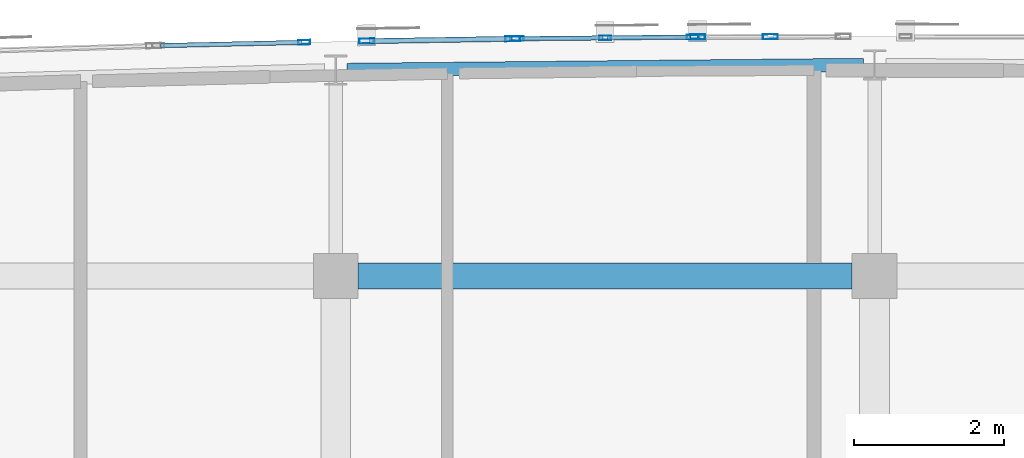
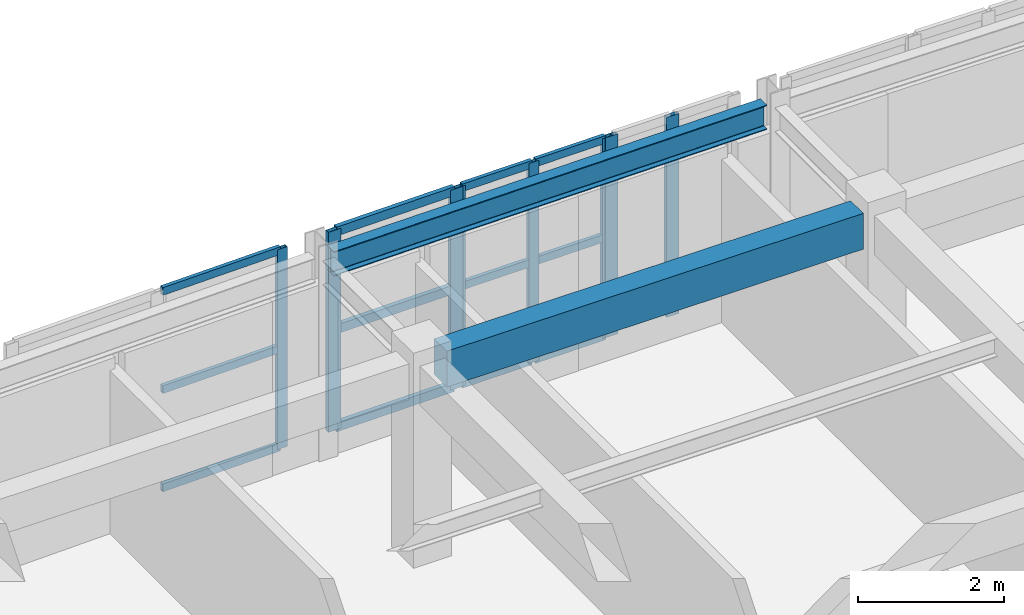
# One storey, part 20 of 73: 20 members, 2 beams, 4 elements without a shape of their own.
"""IFC4 building model written with IfcOpenShell, lengths in metres."""

from ifc_helpers import new_model, si_unit, direction, frame, origin, origin_2d, place, context, subcontext, project, spatial, rectangle, hollow_rectangle, i_section, extrude, material, layer, layer_set, material_profile, profile_set, type_object, element, aggregate, save


model = new_model("IFC4")

# Units and contexts
model_context = context("Model", 3, precision=1e-05, world=origin(), true_north=direction((0.0, 1.0)))
body_context = subcontext(model_context, "Body", "Model", "MODEL_VIEW")
ifc_project = project(units=[si_unit("LENGTHUNIT", "METRE"), si_unit("AREAUNIT", "SQUARE_METRE"), si_unit("VOLUMEUNIT", "CUBIC_METRE"), si_unit("PLANEANGLEUNIT", "RADIAN"), si_unit("MASSUNIT", "GRAM", prefix="KILO")], contexts=[model_context])

# Site, building, storey
site_placement = place(None, origin())
site = spatial("IfcSite", under=ifc_project, at=site_placement, CompositionType="ELEMENT")
building_placement = place(site_placement, origin())
building = spatial("IfcBuilding", under=site, at=building_placement, Name="Carrowvane Square Congress Hotel", CompositionType="ELEMENT")
storey_placement = place(building_placement, frame((0.0, 0.0, 19.199951171875)))
storey = spatial("IfcBuildingStorey", under=building, at=storey_placement, Name="L04", CompositionType="ELEMENT", Elevation=19.199951171875)

# Beams
ifc_material_1 = material(Name="Concrete C35/45", Category="concrete")
ifc_material_profile_1 = material_profile(ifc_material_1, rectangle(XDim=0.35009765625, YDim=0.60009765625, at=origin_2d()), Name="RC 350x600")
ifc_profile_set_1 = profile_set([ifc_material_profile_1], Name="Concrete C35/45")
beam_type_1 = type_object("IfcBeamType", Name="BM-RC-350x600", PredefinedType="BEAM", material=ifc_profile_set_1)
beam_1_placement = place(storey_placement, frame((91.10009765625, 113.39990234375, 3.050048828125), z_axis=(1.0, 0.0, 0.0), x_axis=(0.0, 1.0, 0.0)))
element("IfcBeam", 1, at=beam_1_placement, inside=storey, type_object=beam_type_1, Name="L05 girder R/12-13", PredefinedType="BEAM", context=body_context, shape_type="SweptSolid", body=[
    extrude(rectangle(XDim=0.35009765625, YDim=0.60009765625, at=origin_2d()), origin(), (0.0, 0.0, 1.0), 6.599853515625),
])
ifc_material_2 = material(Name="Steel S355", Category="steel")
ifc_material_profile_2 = material_profile(ifc_material_2, i_section(OverallWidth=0.1787109375, OverallDepth=0.409423828125, WebThickness=0.0087890625, FlangeThickness=0.014404296875, FilletRadius=0.01025390625, at=origin_2d()), Name="UKB 406x178x67")
ifc_profile_set_2 = profile_set([ifc_material_profile_2], Name="Steel S355")
beam_type_2 = type_object("IfcBeamType", Name="BM-ST-UKB406", PredefinedType="BEAM", material=ifc_profile_set_2)
beam_2_placement = place(storey_placement, frame((90.949951171875, 116.1513671875, 3.145263671875), z_axis=(0.999952666563, 0.00972957518, 0.0), x_axis=(-0.00972957518, 0.999952666563, 0.0)))
element("IfcBeam", 2, at=beam_2_placement, inside=storey, type_object=beam_type_2, Name="L05 curved north spandrel", PredefinedType="BEAM", context=body_context, shape_type="SweptSolid", body=[
    extrude(i_section(OverallWidth=0.1787109375, OverallDepth=0.409423828125, WebThickness=0.0087890625, FlangeThickness=0.014404296875, FilletRadius=0.01025390625, at=origin_2d()), origin(), (0.0, 0.0, 1.0), 6.900390625),
])

# Curtain wall, member
ifc_material_3 = material(Name="Anodised aluminium", Category="aluminium")
ifc_layer_1 = layer(ifc_material_3, 0.2099609375)
ifc_layer_set_1 = layer_set([ifc_layer_1], Name="Anodised aluminium")
curtain_wall_type_1 = type_object("IfcCurtainWallType", Name="CW-SYS-5", PredefinedType="NOTDEFINED", material=ifc_layer_set_1)
curtain_wall_1_placement = place(storey_placement, origin())
curtain_wall_1 = element("IfcCurtainWall", 3, at=curtain_wall_1_placement, inside=storey, type_object=curtain_wall_type_1, Name="L04 unitised curtain wall 268", PredefinedType="NOTDEFINED")
ifc_material_4 = material(Name="Anodised aluminium", Category="aluminium")
ifc_material_profile_3 = material_profile(ifc_material_4, hollow_rectangle(XDim=0.06005859375, YDim=0.159912109375, WallThickness=0.00390625, at=origin_2d()), Name="CW-ML 60x160x4")
ifc_profile_set_3 = profile_set([ifc_material_profile_3], Name="Anodised aluminium")
member_type_1 = type_object("IfcMemberType", Name="CW-MUL-1", PredefinedType="MULLION", material=ifc_profile_set_3)
member_1_placement = place(storey_placement, frame((90.377685546875, 116.520263671875, 0.0), z_axis=(0.0, 0.0, 1.0), x_axis=(-0.022517686606, 0.99974644475, 0.0)))
member_1 = element("IfcMember", 4, at=member_1_placement, type_object=member_type_1, Name="CW-5 mullion 2", PredefinedType="MULLION", context=body_context, shape_type="SweptSolid", body=[
    extrude(hollow_rectangle(XDim=0.06005859375, YDim=0.159912109375, WallThickness=0.00390625, at=origin_2d()), origin(), (0.0, 0.0, 1.0), 3.35009765625),
])

# Curtain wall, members
ifc_material_5 = material(Name="Anodised aluminium", Category="aluminium")
ifc_layer_2 = layer(ifc_material_5, 0.23388671875)
ifc_layer_set_2 = layer_set([ifc_layer_2], Name="Anodised aluminium")
curtain_wall_type_2 = type_object("IfcCurtainWallType", Name="CW-SYS-7", PredefinedType="NOTDEFINED", material=ifc_layer_set_2)
curtain_wall_2_placement = place(storey_placement, origin())
curtain_wall_2 = element("IfcCurtainWall", 5, at=curtain_wall_2_placement, inside=storey, type_object=curtain_wall_type_2, Name="L04 unitised curtain wall 270", PredefinedType="NOTDEFINED")
member_2_placement = place(storey_placement, frame((93.22998046875, 116.56884765625, 0.0), z_axis=(0.0, 0.0, 1.0), x_axis=(-0.009782905924, 0.999952146231, 0.0)))
member_2 = element("IfcMember", 6, at=member_2_placement, type_object=member_type_1, Name="CW-7 mullion 1", PredefinedType="MULLION", context=body_context, shape_type="SweptSolid", body=[
    extrude(hollow_rectangle(XDim=0.06005859375, YDim=0.159912109375, WallThickness=0.00390625, at=origin_2d()), origin(), (0.0, 0.0, 1.0), 3.35009765625),
])
member_3_placement = place(storey_placement, frame((94.39990234375, 116.580322265625, 0.0), z_axis=(0.0, 0.0, 1.0), x_axis=(-0.009782905924, 0.999952146231, 0.0)))
member_3 = element("IfcMember", 7, at=member_3_placement, type_object=member_type_1, Name="CW-7 mullion 2", PredefinedType="MULLION", context=body_context, shape_type="SweptSolid", body=[
    extrude(hollow_rectangle(XDim=0.06005859375, YDim=0.159912109375, WallThickness=0.00390625, at=origin_2d()), origin(), (0.0, 0.0, 1.0), 3.35009765625),
])
member_4_placement = place(storey_placement, frame((95.570068359375, 116.591796875, 0.0), z_axis=(0.0, 0.0, 1.0), x_axis=(-0.009782905924, 0.999952146231, 0.0)))
member_4 = element("IfcMember", 8, at=member_4_placement, type_object=member_type_1, Name="CW-7 mullion 3", PredefinedType="MULLION", context=body_context, shape_type="SweptSolid", body=[
    extrude(hollow_rectangle(XDim=0.06005859375, YDim=0.159912109375, WallThickness=0.00390625, at=origin_2d()), origin(), (0.0, 0.0, 1.0), 3.35009765625),
])

ifc_material_6 = material(Name="Anodised aluminium", Category="aluminium")
ifc_layer_3 = layer(ifc_material_6, 0.221923828125)
ifc_layer_set_3 = layer_set([ifc_layer_3], Name="Anodised aluminium")
curtain_wall_type_3 = type_object("IfcCurtainWallType", Name="CW-SYS-6", PredefinedType="NOTDEFINED", material=ifc_layer_set_3)
curtain_wall_3_placement = place(storey_placement, origin())
curtain_wall_3 = element("IfcCurtainWall", 9, at=curtain_wall_3_placement, inside=storey, type_object=curtain_wall_type_3, Name="L04 unitised curtain wall 269", PredefinedType="NOTDEFINED")
ifc_material_7 = material(Name="Anodised aluminium", Category="aluminium")
ifc_material_profile_4 = material_profile(ifc_material_7, hollow_rectangle(XDim=0.070068359375, YDim=0.199951171875, WallThickness=0.0048828125, at=origin_2d()), Name="CW-ML 70x200x5")
ifc_profile_set_4 = profile_set([ifc_material_profile_4], Name="Anodised aluminium")
member_type_2 = type_object("IfcMemberType", Name="CW-MUL-2", PredefinedType="MULLION", material=ifc_profile_set_4)
member_5_placement = place(storey_placement, frame((91.212646484375, 116.536376953125, 0.0), z_axis=(0.0, 0.0, 1.0), x_axis=(-0.016215981364, 0.99986851233, 0.0)))
member_5 = element("IfcMember", 10, at=member_5_placement, type_object=member_type_2, Name="CW-6 mullion 1", PredefinedType="MULLION", context=body_context, shape_type="SweptSolid", body=[
    extrude(hollow_rectangle(XDim=0.070068359375, YDim=0.199951171875, WallThickness=0.0048828125, at=origin_2d()), origin(), (0.0, 0.0, 1.0), 3.35009765625),
])
member_6_placement = place(storey_placement, frame((93.1650390625, 116.568115234375, 0.0), z_axis=(0.0, 0.0, 1.0), x_axis=(-0.016215981364, 0.99986851233, 0.0)))
member_6 = element("IfcMember", 11, at=member_6_placement, type_object=member_type_2, Name="CW-6 mullion 2", PredefinedType="MULLION", context=body_context, shape_type="SweptSolid", body=[
    extrude(hollow_rectangle(XDim=0.070068359375, YDim=0.199951171875, WallThickness=0.0048828125, at=origin_2d()), origin(), (0.0, 0.0, 1.0), 3.35009765625),
])

ifc_material_8 = material(Name="Anodised aluminium", Category="aluminium")
ifc_layer_4 = layer(ifc_material_8, 0.24609375)
ifc_layer_set_4 = layer_set([ifc_layer_4], Name="Anodised aluminium")
curtain_wall_type_4 = type_object("IfcCurtainWallType", Name="CW-SYS-8", PredefinedType="NOTDEFINED", material=ifc_layer_set_4)
curtain_wall_4_placement = place(storey_placement, origin())
curtain_wall_4 = element("IfcCurtainWall", 12, at=curtain_wall_4_placement, inside=storey, type_object=curtain_wall_type_4, Name="L04 unitised curtain wall 271", PredefinedType="NOTDEFINED")
member_7_placement = place(storey_placement, frame((95.635009765625, 116.59228515625, 0.0), z_axis=(0.0, 0.0, 1.0), x_axis=(-0.003270307911, 0.999994652529, 0.0)))
member_7 = element("IfcMember", 13, at=member_7_placement, type_object=member_type_2, Name="CW-8 mullion 1", PredefinedType="MULLION", context=body_context, shape_type="SweptSolid", body=[
    extrude(hollow_rectangle(XDim=0.070068359375, YDim=0.199951171875, WallThickness=0.0048828125, at=origin_2d()), origin(), (0.0, 0.0, 1.0), 3.35009765625),
])
member_8_placement = place(storey_placement, frame((96.607666015625, 116.595458984375, 0.0), z_axis=(0.0, 0.0, 1.0), x_axis=(-0.003270307911, 0.999994652529, 0.0)))
member_8 = element("IfcMember", 14, at=member_8_placement, type_object=member_type_2, Name="CW-8 mullion 2", PredefinedType="MULLION", context=body_context, shape_type="SweptSolid", body=[
    extrude(hollow_rectangle(XDim=0.070068359375, YDim=0.199951171875, WallThickness=0.0048828125, at=origin_2d()), origin(), (0.0, 0.0, 1.0), 3.35009765625),
])
aggregate(curtain_wall_4, [member_7, member_8])

# Member
ifc_material_9 = material(Name="Anodised aluminium", Category="aluminium")
ifc_material_profile_5 = material_profile(ifc_material_9, hollow_rectangle(XDim=0.06005859375, YDim=0.1298828125, WallThickness=0.00390625, at=origin_2d()), Name="CW-TR 60x130x4")
ifc_profile_set_5 = profile_set([ifc_material_profile_5], Name="Anodised aluminium")
member_type_3 = type_object("IfcMemberType", Name="CW-TRN-1", PredefinedType="USERDEFINED", material=ifc_profile_set_5)
member_9_placement = place(storey_placement, frame((88.4599609375, 116.47705078125, 0.030029296875), z_axis=(0.999746883827, 0.022498183883, 0.0), x_axis=(-0.022498183883, 0.999746883827, 0.0)))
member_9 = element("IfcMember", 15, at=member_9_placement, type_object=member_type_3, Name="CW-5 transom 1.1", ObjectType="TRANSOM", PredefinedType="USERDEFINED", context=body_context, shape_type="SweptSolid", body=[
    extrude(hollow_rectangle(XDim=0.06005859375, YDim=0.1298828125, WallThickness=0.00390625, at=origin_2d()), origin(), (0.0, 0.0, 1.0), 1.88818359375),
])

member_10_placement = place(storey_placement, frame((88.4599609375, 116.47705078125, 1.675048828125), z_axis=(0.999746883827, 0.022498183883, 0.0), x_axis=(-0.022498183883, 0.999746883827, 0.0)))
member_10 = element("IfcMember", 16, at=member_10_placement, type_object=member_type_3, Name="CW-5 transom 1.2", ObjectType="TRANSOM", PredefinedType="USERDEFINED", context=body_context, shape_type="SweptSolid", body=[
    extrude(hollow_rectangle(XDim=0.06005859375, YDim=0.1298828125, WallThickness=0.00390625, at=origin_2d()), origin(), (0.0, 0.0, 1.0), 1.88818359375),
])

member_11_placement = place(storey_placement, frame((88.4599609375, 116.47705078125, 3.320068359375), z_axis=(0.999746883827, 0.022498183883, 0.0), x_axis=(-0.022498183883, 0.999746883827, 0.0)))
member_11 = element("IfcMember", 17, at=member_11_placement, type_object=member_type_3, Name="CW-5 transom 1.3", ObjectType="TRANSOM", PredefinedType="USERDEFINED", context=body_context, shape_type="SweptSolid", body=[
    extrude(hollow_rectangle(XDim=0.06005859375, YDim=0.1298828125, WallThickness=0.00390625, at=origin_2d()), origin(), (0.0, 0.0, 1.0), 1.88818359375),
])

aggregate(curtain_wall_1, [member_1, member_9, member_10, member_11])

member_12_placement = place(storey_placement, frame((93.260009765625, 116.5693359375, 0.030029296875), z_axis=(0.99995318393, 0.009676256893, 0.0), x_axis=(-0.009676256893, 0.99995318393, 0.0)))
member_12 = element("IfcMember", 18, at=member_12_placement, type_object=member_type_3, Name="CW-7 transom 1.1", ObjectType="TRANSOM", PredefinedType="USERDEFINED", context=body_context, shape_type="SweptSolid", body=[
    extrude(hollow_rectangle(XDim=0.06005859375, YDim=0.1298828125, WallThickness=0.00390625, at=origin_2d()), origin(), (0.0, 0.0, 1.0), 1.110107421875),
])

member_13_placement = place(storey_placement, frame((93.260009765625, 116.5693359375, 1.675048828125), z_axis=(0.99995318393, 0.009676256893, 0.0), x_axis=(-0.009676256893, 0.99995318393, 0.0)))
member_13 = element("IfcMember", 19, at=member_13_placement, type_object=member_type_3, Name="CW-7 transom 1.2", ObjectType="TRANSOM", PredefinedType="USERDEFINED", context=body_context, shape_type="SweptSolid", body=[
    extrude(hollow_rectangle(XDim=0.06005859375, YDim=0.1298828125, WallThickness=0.00390625, at=origin_2d()), origin(), (0.0, 0.0, 1.0), 1.110107421875),
])

member_14_placement = place(storey_placement, frame((93.260009765625, 116.5693359375, 3.320068359375), z_axis=(0.99995318393, 0.009676256893, 0.0), x_axis=(-0.009676256893, 0.99995318393, 0.0)))
member_14 = element("IfcMember", 20, at=member_14_placement, type_object=member_type_3, Name="CW-7 transom 1.3", ObjectType="TRANSOM", PredefinedType="USERDEFINED", context=body_context, shape_type="SweptSolid", body=[
    extrude(hollow_rectangle(XDim=0.06005859375, YDim=0.1298828125, WallThickness=0.00390625, at=origin_2d()), origin(), (0.0, 0.0, 1.0), 1.110107421875),
])

member_15_placement = place(storey_placement, frame((94.429931640625, 116.580810546875, 0.030029296875), z_axis=(0.99995318393, 0.009676256893, 0.0), x_axis=(-0.009676256893, 0.99995318393, 0.0)))
member_15 = element("IfcMember", 21, at=member_15_placement, type_object=member_type_3, Name="CW-7 transom 2.1", ObjectType="TRANSOM", PredefinedType="USERDEFINED", context=body_context, shape_type="SweptSolid", body=[
    extrude(hollow_rectangle(XDim=0.06005859375, YDim=0.1298828125, WallThickness=0.00390625, at=origin_2d()), origin(), (0.0, 0.0, 1.0), 1.110107421875),
])

member_16_placement = place(storey_placement, frame((94.429931640625, 116.580810546875, 1.675048828125), z_axis=(0.99995318393, 0.009676256893, 0.0), x_axis=(-0.009676256893, 0.99995318393, 0.0)))
member_16 = element("IfcMember", 22, at=member_16_placement, type_object=member_type_3, Name="CW-7 transom 2.2", ObjectType="TRANSOM", PredefinedType="USERDEFINED", context=body_context, shape_type="SweptSolid", body=[
    extrude(hollow_rectangle(XDim=0.06005859375, YDim=0.1298828125, WallThickness=0.00390625, at=origin_2d()), origin(), (0.0, 0.0, 1.0), 1.110107421875),
])

member_17_placement = place(storey_placement, frame((94.429931640625, 116.580810546875, 3.320068359375), z_axis=(0.99995318393, 0.009676256893, 0.0), x_axis=(-0.009676256893, 0.99995318393, 0.0)))
member_17 = element("IfcMember", 23, at=member_17_placement, type_object=member_type_3, Name="CW-7 transom 2.3", ObjectType="TRANSOM", PredefinedType="USERDEFINED", context=body_context, shape_type="SweptSolid", body=[
    extrude(hollow_rectangle(XDim=0.06005859375, YDim=0.1298828125, WallThickness=0.00390625, at=origin_2d()), origin(), (0.0, 0.0, 1.0), 1.110107421875),
])

aggregate(curtain_wall_2, [member_2, member_3, member_4, member_12, member_13, member_14, member_15, member_16, member_17])

ifc_material_10 = material(Name="Anodised aluminium", Category="aluminium")
ifc_material_profile_6 = material_profile(ifc_material_10, hollow_rectangle(XDim=0.070068359375, YDim=0.14990234375, WallThickness=0.0048828125, at=origin_2d()), Name="CW-TR 70x150x5")
ifc_profile_set_6 = profile_set([ifc_material_profile_6], Name="Anodised aluminium")
member_type_4 = type_object("IfcMemberType", Name="CW-TRN-2", PredefinedType="USERDEFINED", material=ifc_profile_set_6)
member_18_placement = place(storey_placement, frame((91.24755859375, 116.537109375, 0.03515625), z_axis=(0.999868599908, 0.016210580414, 0.0), x_axis=(-0.016210580414, 0.999868599908, 0.0)))
member_18 = element("IfcMember", 24, at=member_18_placement, type_object=member_type_4, Name="CW-6 transom 1.1", ObjectType="TRANSOM", PredefinedType="USERDEFINED", context=body_context, shape_type="SweptSolid", body=[
    extrude(hollow_rectangle(XDim=0.070068359375, YDim=0.14990234375, WallThickness=0.0048828125, at=origin_2d()), origin(), (0.0, 0.0, 1.0), 1.882568359375),
])

member_19_placement = place(storey_placement, frame((91.24755859375, 116.537109375, 1.675048828125), z_axis=(0.999868599908, 0.016210580414, 0.0), x_axis=(-0.016210580414, 0.999868599908, 0.0)))
member_19 = element("IfcMember", 25, at=member_19_placement, type_object=member_type_4, Name="CW-6 transom 1.2", ObjectType="TRANSOM", PredefinedType="USERDEFINED", context=body_context, shape_type="SweptSolid", body=[
    extrude(hollow_rectangle(XDim=0.070068359375, YDim=0.14990234375, WallThickness=0.0048828125, at=origin_2d()), origin(), (0.0, 0.0, 1.0), 1.882568359375),
])

member_20_placement = place(storey_placement, frame((91.24755859375, 116.537109375, 3.31494140625), z_axis=(0.999868599908, 0.016210580414, 0.0), x_axis=(-0.016210580414, 0.999868599908, 0.0)))
member_20 = element("IfcMember", 26, at=member_20_placement, type_object=member_type_4, Name="CW-6 transom 1.3", ObjectType="TRANSOM", PredefinedType="USERDEFINED", context=body_context, shape_type="SweptSolid", body=[
    extrude(hollow_rectangle(XDim=0.070068359375, YDim=0.14990234375, WallThickness=0.0048828125, at=origin_2d()), origin(), (0.0, 0.0, 1.0), 1.882568359375),
])

aggregate(curtain_wall_3, [member_5, member_6, member_18, member_19, member_20])

save(model, "model.ifc")
